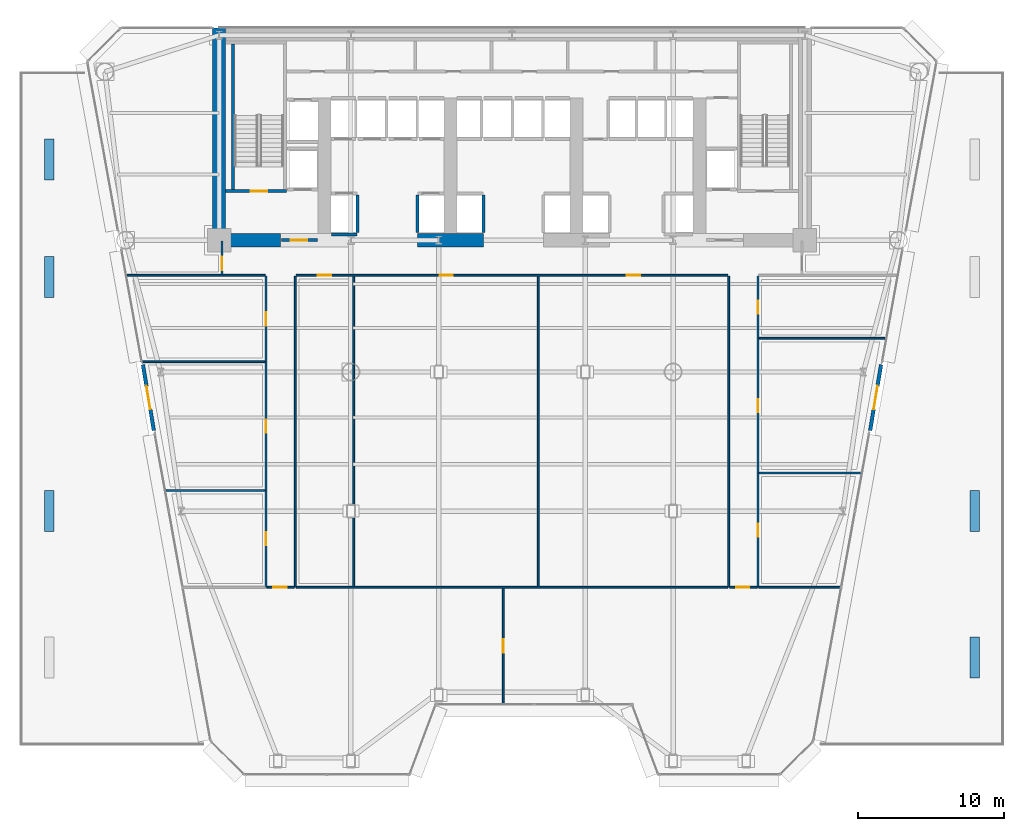
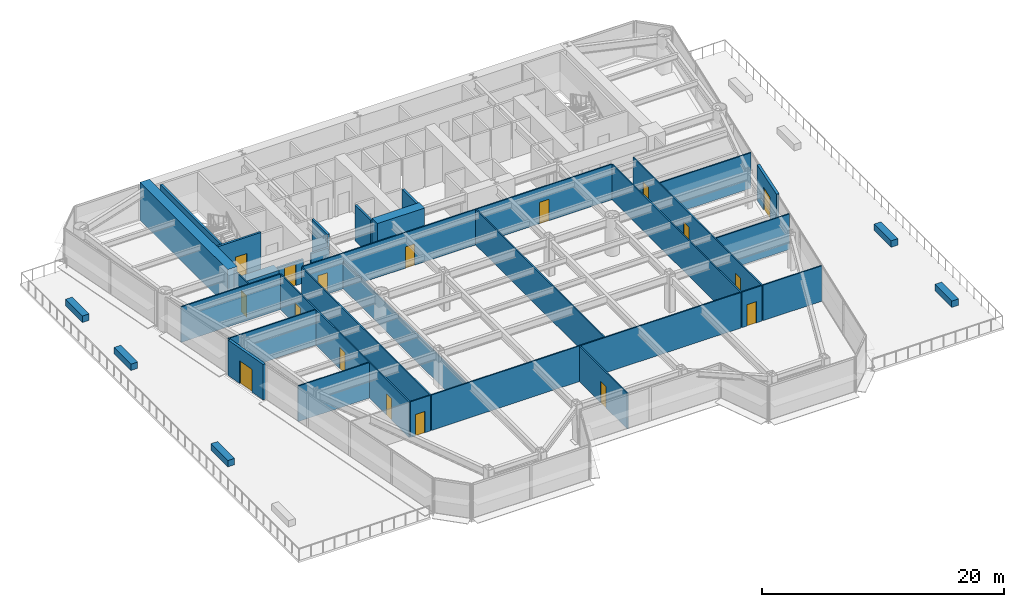
# One storey, part 8 of 14: 35 walls, 17 doors, 17 openings.
"""IFC4 building model written with IfcOpenShell, lengths in metres."""

from ifc_helpers import new_model, si_unit, direction, frame, frame_2d, origin, place, context, subcontext, project, spatial, rectangle, extrude, source, transform, mapped, material, layer, layer_set, type_object, element, fill, save


model = new_model("IFC4")

# Units and contexts
model_context = context("Model", 3, precision=1e-05, world=origin(), true_north=direction((0.0, 1.0)))
body_context = subcontext(model_context, "Body", "Model", "MODEL_VIEW")
ifc_project = project(units=[si_unit("LENGTHUNIT", "METRE"), si_unit("AREAUNIT", "SQUARE_METRE"), si_unit("VOLUMEUNIT", "CUBIC_METRE"), si_unit("PLANEANGLEUNIT", "RADIAN"), si_unit("MASSUNIT", "GRAM", prefix="KILO")], contexts=[model_context])

# Site, building, storey
site_placement = place(None, origin())
site = spatial("IfcSite", under=ifc_project, at=site_placement, CompositionType="ELEMENT")
building_placement = place(site_placement, origin())
building = spatial("IfcBuilding", under=site, at=building_placement, Name="Vaeldorn Concourse Tower", CompositionType="ELEMENT")
storey_placement = place(building_placement, frame((0.0, 0.0, 18.800048828125)))
storey = spatial("IfcBuildingStorey", under=building, at=storey_placement, Name="L04", CompositionType="ELEMENT", Elevation=18.800048828125)

# Walls
ifc_material_1 = material(Name="Concrete C60/75", Category="concrete")
ifc_layer_1 = layer(ifc_material_1, 0.89990234375)
ifc_layer_set_1 = layer_set([ifc_layer_1], Name="Concrete C60/75")
wall_type_1 = type_object("IfcWallType", Name="WL-CORE-900", PredefinedType="SHEAR", material=ifc_layer_set_1)
wall_1_placement = place(storey_placement, frame((14.0, 36.5, 0.0), z_axis=(0.0, 0.0, 1.0), x_axis=(0.0, 1.0, 0.0)))
element("IfcWall", 1, at=wall_1_placement, inside=storey, type_object=wall_type_1, Name="Rear Core Shear Wall L04 W1", PredefinedType="SHEAR", context=body_context, shape_type="SweptSolid", body=[
    extrude(rectangle(XDim=14.5, YDim=0.89990234375, at=frame_2d((7.25, 0.0))), origin(), (0.0, 0.0, 1.0), 3.800048828125),
])
wall_2_placement = place(storey_placement, frame((14.469970703125, 36.5, 0.0), z_axis=(0.0, 0.0, 1.0), x_axis=(1.0, 0.0, 0.0)))
element("IfcWall", 2, at=wall_2_placement, inside=storey, type_object=wall_type_1, Name="Rear Core Shear Wall L04 S1", PredefinedType="SHEAR", context=body_context, shape_type="SweptSolid", body=[
    extrude(rectangle(XDim=3.72998046875, YDim=0.89990234375, at=frame_2d((1.864990234375, 0.0))), origin(), (0.0, 0.0, 1.0), 2.3798828125),
])
wall_3_placement = place(storey_placement, frame((27.550048828125, 36.5, 0.0), z_axis=(0.0, 0.0, 1.0), x_axis=(1.0, 0.0, 0.0)))
element("IfcWall", 3, at=wall_3_placement, inside=storey, type_object=wall_type_1, Name="Rear Core Shear Wall L04 S2", PredefinedType="SHEAR", context=body_context, shape_type="SweptSolid", body=[
    extrude(rectangle(XDim=4.5, YDim=0.89990234375, at=frame_2d((2.25, 0.0))), origin(), (0.0, 0.0, 1.0), 3.800048828125),
])

# Wall, opening, door
ifc_material_2 = material(Name="Precast concrete C40/50", Category="concrete")
ifc_layer_2 = layer(ifc_material_2, 0.25)
ifc_layer_set_2 = layer_set([ifc_layer_2], Name="Precast concrete C40/50")
wall_type_2 = type_object("IfcWallType", Name="WL-EXT-TERRACE-250", PredefinedType="STANDARD", material=ifc_layer_set_2)
wall_4_placement = place(storey_placement, frame((9.53759765625, 23.5, 0.0), z_axis=(0.0, 0.0, 1.0), x_axis=(-0.162836302539, 0.98665309941, 0.0)))
wall_4 = element("IfcWall", 4, at=wall_4_placement, inside=storey, type_object=wall_type_2, Name="Sky Garden Portal Wall L04 West", PredefinedType="STANDARD", context=body_context, shape_type="SweptSolid", body=[
    extrude(rectangle(XDim=4.560791015625, YDim=0.25, at=frame_2d((2.2802734375, 0.0))), origin(), (0.0, 0.0, 1.0), 3.579833984375),
])
opening_1_placement = place(wall_4_placement, frame((1.47998046875, 0.0, 0.0)))
opening_1 = element("IfcOpeningElement", 5, at=opening_1_placement, cuts=wall_4, Name="Opening DG-1", PredefinedType="OPENING", context=body_context, shape_type="SweptSolid", body=[
    extrude(rectangle(XDim=1.60009765625, YDim=2.300048828125, at=frame_2d((0.800048828125, 1.14990234375))), frame((0.0, 0.135009765625, 0.0), z_axis=(0.0, -1.0, 0.0), x_axis=(1.0, 0.0, 0.0)), (0.0, 0.0, 1.0), 0.27001953125),
])
ifc_material_3 = material(Name="Anodised Bronze Aluminium", Category="aluminium")
door_type_1 = type_object("IfcDoorType", Name="DR-EXTERNAL-1600", OperationType="DOUBLE_DOOR_SINGLE_SWING", PredefinedType="DOOR", material=ifc_material_3)
shared_shape_1 = source(origin(), body_context, "Body", "SweptSolid", [
    extrude(rectangle(XDim=1.60009765625, YDim=2.300048828125, at=frame_2d((0.800048828125, 1.14990234375))), frame((0.0, 0.02490234375, 0.0), z_axis=(0.0, -1.0, 0.0), x_axis=(1.0, 0.0, 0.0)), (0.0, 0.0, 1.0), 0.050048828125),
])
door_1_placement = place(opening_1_placement, origin())
door_1 = element("IfcDoor", 6, at=door_1_placement, inside=storey, type_object=door_type_1, Name="Podium Sky Garden Terrace Door L04 West", OperationType="DOUBLE_DOOR_SINGLE_SWING", OverallHeight=2.300048828125, OverallWidth=1.60009765625, PredefinedType="DOOR", context=body_context, shape_type="MappedRepresentation", body=[
    mapped(shared_shape_1, transform((0.0, 0.0, 0.0), scale=1.0)),
])
fill(opening_1, door_1)

wall_5_placement = place(storey_placement, frame((59.205078125, 28.0, 0.0), z_axis=(0.0, 0.0, 1.0), x_axis=(-0.162836302539, -0.98665309941, 0.0)))
wall_5 = element("IfcWall", 7, at=wall_5_placement, inside=storey, type_object=wall_type_2, Name="Sky Garden Portal Wall L04 East", PredefinedType="STANDARD", context=body_context, shape_type="SweptSolid", body=[
    extrude(rectangle(XDim=4.560791015625, YDim=0.25, at=frame_2d((2.2802734375, 0.0))), origin(), (0.0, 0.0, 1.0), 3.579833984375),
])
opening_2_placement = place(wall_5_placement, frame((1.47998046875, 0.0, 0.0)))
opening_2 = element("IfcOpeningElement", 8, at=opening_2_placement, cuts=wall_5, Name="Opening DG-1", PredefinedType="OPENING", context=body_context, shape_type="SweptSolid", body=[
    extrude(rectangle(XDim=1.60009765625, YDim=2.300048828125, at=frame_2d((0.800048828125, 1.14990234375))), frame((0.0, 0.135009765625, 0.0), z_axis=(0.0, -1.0, 0.0), x_axis=(1.0, 0.0, 0.0)), (0.0, 0.0, 1.0), 0.27001953125),
])
door_2_placement = place(opening_2_placement, origin())
door_2 = element("IfcDoor", 9, at=door_2_placement, inside=storey, type_object=door_type_1, Name="Podium Sky Garden Terrace Door L04 East", OperationType="DOUBLE_DOOR_SINGLE_SWING", OverallHeight=2.300048828125, OverallWidth=1.60009765625, PredefinedType="DOOR", context=body_context, shape_type="MappedRepresentation", body=[
    mapped(shared_shape_1, transform((0.0, 0.0, 0.0), scale=1.0)),
])
fill(opening_2, door_2)

# Wall, openings, doors
ifc_material_4 = material(Name="Gypsum Board Partition", Category="gypsum")
ifc_layer_3 = layer(ifc_material_4, 0.1201171875)
ifc_layer_set_3 = layer_set([ifc_layer_3], Name="Gypsum Board Partition")
wall_type_3 = type_object("IfcWallType", Name="WL-PART-120", PredefinedType="PARTITIONING", material=ifc_layer_set_3)
wall_6_placement = place(storey_placement, frame((19.260009765625, 34.10009765625, 0.0), z_axis=(0.0, 0.0, 1.0), x_axis=(1.0, 0.0, 0.0)))
wall_6 = element("IfcWall", 10, at=wall_6_placement, inside=storey, type_object=wall_type_3, Name="Interior Wall PW-L04-CEWS", PredefinedType="PARTITIONING", context=body_context, shape_type="SweptSolid", body=[
    extrude(rectangle(XDim=29.47998046875, YDim=0.1201171875, at=frame_2d((14.739990234375, 0.0))), origin(), (0.0, 0.0, 1.0), 3.579833984375),
])
opening_3_placement = place(wall_6_placement, frame((1.489990234375, 0.0, 0.0)))
opening_3 = element("IfcOpeningElement", 11, at=opening_3_placement, cuts=wall_6, Name="Opening D-03", PredefinedType="OPENING", context=body_context, shape_type="SweptSolid", body=[
    extrude(rectangle(XDim=0.89990234375, YDim=2.14990234375, at=frame_2d((0.449951171875, 1.074951171875))), frame((0.0, 0.070068359375, 0.0), z_axis=(0.0, -1.0, 0.0), x_axis=(1.0, 0.0, 0.0)), (0.0, 0.0, 1.0), 0.14013671875),
])
opening_4_placement = place(wall_6_placement, frame((9.7900390625, 0.0, 0.0)))
opening_4 = element("IfcOpeningElement", 12, at=opening_4_placement, cuts=wall_6, Name="Opening D-03", PredefinedType="OPENING", context=body_context, shape_type="SweptSolid", body=[
    extrude(rectangle(XDim=0.89990234375, YDim=2.14990234375, at=frame_2d((0.449951171875, 1.074951171875))), frame((0.0, 0.070068359375, 0.0), z_axis=(0.0, -1.0, 0.0), x_axis=(1.0, 0.0, 0.0)), (0.0, 0.0, 1.0), 0.14013671875),
])
opening_5_placement = place(wall_6_placement, frame((22.590087890625, 0.0, 0.0)))
opening_5 = element("IfcOpeningElement", 13, at=opening_5_placement, cuts=wall_6, Name="Opening D-03", PredefinedType="OPENING", context=body_context, shape_type="SweptSolid", body=[
    extrude(rectangle(XDim=0.89990234375, YDim=2.14990234375, at=frame_2d((0.449951171875, 1.074951171875))), frame((0.0, 0.070068359375, 0.0), z_axis=(0.0, -1.0, 0.0), x_axis=(1.0, 0.0, 0.0)), (0.0, 0.0, 1.0), 0.14013671875),
])
ifc_material_5 = material(Name="Acoustic Bronze-Framed Glass Door", Category="glass")
door_type_2 = type_object("IfcDoorType", Name="DR-INT-900", OperationType="NOTDEFINED", PredefinedType="DOOR", material=ifc_material_5)
shared_shape_2 = source(origin(), body_context, "Body", "SweptSolid", [
    extrude(rectangle(XDim=0.89990234375, YDim=2.14990234375, at=frame_2d((0.449951171875, 1.074951171875))), frame((0.0, 0.02490234375, 0.0), z_axis=(0.0, -1.0, 0.0), x_axis=(1.0, 0.0, 0.0)), (0.0, 0.0, 1.0), 0.050048828125),
])
door_3_placement = place(opening_3_placement, origin())
door_3 = element("IfcDoor", 14, at=door_3_placement, inside=storey, type_object=door_type_2, Name="Interior Door DR-L04-H1", OperationType="SINGLE_SWING_LEFT", OverallHeight=2.14990234375, OverallWidth=0.89990234375, PredefinedType="DOOR", context=body_context, shape_type="MappedRepresentation", body=[
    mapped(shared_shape_2, transform((0.0, 0.0, 0.0), scale=1.0)),
])
fill(opening_3, door_3)
door_4_placement = place(opening_4_placement, origin())
door_4 = element("IfcDoor", 15, at=door_4_placement, inside=storey, type_object=door_type_2, Name="Interior Door DR-L04-H2", OperationType="SINGLE_SWING_RIGHT", OverallHeight=2.14990234375, OverallWidth=0.89990234375, PredefinedType="DOOR", context=body_context, shape_type="MappedRepresentation", body=[
    mapped(shared_shape_2, transform((0.0, 0.0, 0.0), scale=1.0)),
])
fill(opening_4, door_4)
door_5_placement = place(opening_5_placement, origin())
door_5 = element("IfcDoor", 16, at=door_5_placement, inside=storey, type_object=door_type_2, Name="Interior Door DR-L04-H3", OperationType="SINGLE_SWING_LEFT", OverallHeight=2.14990234375, OverallWidth=0.89990234375, PredefinedType="DOOR", context=body_context, shape_type="MappedRepresentation", body=[
    mapped(shared_shape_2, transform((0.0, 0.0, 0.0), scale=1.0)),
])
fill(opening_5, door_5)

# Wall
wall_7_placement = place(storey_placement, frame((7.687744140625, 34.10009765625, 0.0), z_axis=(0.0, 0.0, 1.0), x_axis=(1.0, 0.0, 0.0)))
element("IfcWall", 17, at=wall_7_placement, inside=storey, type_object=wall_type_3, Name="Interior Wall PW-L04-CEWW", PredefinedType="PARTITIONING", context=body_context, shape_type="SweptSolid", body=[
    extrude(rectangle(XDim=9.4521484375, YDim=0.1201171875, at=frame_2d((4.72607421875, 0.0))), origin(), (0.0, 0.0, 1.0), 3.579833984375),
])

# Wall, opening, door
wall_8_placement = place(storey_placement, frame((14.199951171875, 34.159912109375, 0.0), z_axis=(0.0, 0.0, 1.0), x_axis=(0.0, 1.0, 0.0)))
wall_8 = element("IfcWall", 18, at=wall_8_placement, inside=storey, type_object=wall_type_3, Name="Interior Wall PW-L04-CWWT", PredefinedType="PARTITIONING", context=body_context, shape_type="SweptSolid", body=[
    extrude(rectangle(XDim=2.280029296875, YDim=0.1201171875, at=frame_2d((1.14013671875, 0.0))), origin(), (0.0, 0.0, 1.0), 3.579833984375),
])
opening_6_placement = place(wall_8_placement, frame((0.300048828125, 0.0, 0.0)))
opening_6 = element("IfcOpeningElement", 19, at=opening_6_placement, cuts=wall_8, Name="Opening D-03", PredefinedType="OPENING", context=body_context, shape_type="SweptSolid", body=[
    extrude(rectangle(XDim=0.89990234375, YDim=2.14990234375, at=frame_2d((0.449951171875, 1.074951171875))), frame((0.0, 0.070068359375, 0.0), z_axis=(0.0, -1.0, 0.0), x_axis=(1.0, 0.0, 0.0)), (0.0, 0.0, 1.0), 0.14013671875),
])
door_6_placement = place(opening_6_placement, origin())
door_6 = element("IfcDoor", 20, at=door_6_placement, inside=storey, type_object=door_type_2, Name="Interior Door DR-L04-NW1", OperationType="SINGLE_SWING_LEFT", OverallHeight=2.14990234375, OverallWidth=0.89990234375, PredefinedType="DOOR", context=body_context, shape_type="MappedRepresentation", body=[
    mapped(shared_shape_2, transform((0.0, 0.0, 0.0), scale=1.0)),
])
fill(opening_6, door_6)

# Wall, openings, doors
wall_9_placement = place(storey_placement, frame((17.199951171875, 12.800048828125, 0.0), z_axis=(0.0, 0.0, 1.0), x_axis=(0.0, 1.0, 0.0)))
wall_9 = element("IfcWall", 21, at=wall_9_placement, inside=storey, type_object=wall_type_3, Name="Interior Wall PW-L04-CWW", PredefinedType="PARTITIONING", context=body_context, shape_type="SweptSolid", body=[
    extrude(rectangle(XDim=21.239990234375, YDim=0.1201171875, at=frame_2d((10.6201171875, 0.0))), origin(), (0.0, 0.0, 1.0), 3.579833984375),
])
opening_7_placement = place(wall_9_placement, frame((2.85009765625, 0.0, 0.0)))
opening_7 = element("IfcOpeningElement", 22, at=opening_7_placement, cuts=wall_9, Name="Opening D-03", PredefinedType="OPENING", context=body_context, shape_type="SweptSolid", body=[
    extrude(rectangle(XDim=0.89990234375, YDim=2.14990234375, at=frame_2d((0.449951171875, 1.074951171875))), frame((0.0, 0.070068359375, 0.0), z_axis=(0.0, -1.0, 0.0), x_axis=(1.0, 0.0, 0.0)), (0.0, 0.0, 1.0), 0.14013671875),
])
opening_8_placement = place(wall_9_placement, frame((10.550048828125, 0.0, 0.0)))
opening_8 = element("IfcOpeningElement", 23, at=opening_8_placement, cuts=wall_9, Name="Opening D-03", PredefinedType="OPENING", context=body_context, shape_type="SweptSolid", body=[
    extrude(rectangle(XDim=0.89990234375, YDim=2.14990234375, at=frame_2d((0.449951171875, 1.074951171875))), frame((0.0, 0.070068359375, 0.0), z_axis=(0.0, -1.0, 0.0), x_axis=(1.0, 0.0, 0.0)), (0.0, 0.0, 1.0), 0.14013671875),
])
opening_9_placement = place(wall_9_placement, frame((17.8701171875, 0.0, 0.0)))
opening_9 = element("IfcOpeningElement", 24, at=opening_9_placement, cuts=wall_9, Name="Opening D-03", PredefinedType="OPENING", context=body_context, shape_type="SweptSolid", body=[
    extrude(rectangle(XDim=0.89990234375, YDim=2.14990234375, at=frame_2d((0.449951171875, 1.074951171875))), frame((0.0, 0.070068359375, 0.0), z_axis=(0.0, -1.0, 0.0), x_axis=(1.0, 0.0, 0.0)), (0.0, 0.0, 1.0), 0.14013671875),
])
door_7_placement = place(opening_7_placement, origin())
door_7 = element("IfcDoor", 25, at=door_7_placement, inside=storey, type_object=door_type_2, Name="Interior Door DR-L04-W1", OperationType="SINGLE_SWING_LEFT", OverallHeight=2.14990234375, OverallWidth=0.89990234375, PredefinedType="DOOR", context=body_context, shape_type="MappedRepresentation", body=[
    mapped(shared_shape_2, transform((0.0, 0.0, 0.0), scale=1.0)),
])
fill(opening_7, door_7)
door_8_placement = place(opening_8_placement, origin())
door_8 = element("IfcDoor", 26, at=door_8_placement, inside=storey, type_object=door_type_2, Name="Interior Door DR-L04-W2", OperationType="SINGLE_SWING_RIGHT", OverallHeight=2.14990234375, OverallWidth=0.89990234375, PredefinedType="DOOR", context=body_context, shape_type="MappedRepresentation", body=[
    mapped(shared_shape_2, transform((0.0, 0.0, 0.0), scale=1.0)),
])
fill(opening_8, door_8)
door_9_placement = place(opening_9_placement, origin())
door_9 = element("IfcDoor", 27, at=door_9_placement, inside=storey, type_object=door_type_2, Name="Interior Door DR-L04-W3", OperationType="SINGLE_SWING_LEFT", OverallHeight=2.14990234375, OverallWidth=0.89990234375, PredefinedType="DOOR", context=body_context, shape_type="MappedRepresentation", body=[
    mapped(shared_shape_2, transform((0.0, 0.0, 0.0), scale=1.0)),
])
fill(opening_9, door_9)

# Walls
for number, where, z_axis, x_axis, name in (
    (28, (19.199951171875, 12.800048828125, 0.0), (0.0, 0.0, 1.0), (0.0, 1.0, 0.0), "Interior Wall PW-L04-CWE"),
    (29, (48.800048828125, 12.800048828125, 0.0), (0.0, 0.0, 1.0), (0.0, 1.0, 0.0), "Interior Wall PW-L04-CEW"),
):
    element("IfcWall", number, at=place(storey_placement, frame(where, z_axis=z_axis, x_axis=x_axis)), inside=storey, type_object=wall_type_3, Name=name, PredefinedType="PARTITIONING", context=body_context, shape_type="SweptSolid", body=[
        extrude(rectangle(XDim=21.239990234375, YDim=0.1201171875, at=frame_2d((10.6201171875, 0.0))), origin(), (0.0, 0.0, 1.0), 3.579833984375),
    ])

# Wall, openings, doors
wall_10_placement = place(storey_placement, frame((50.800048828125, 12.800048828125, 0.0), z_axis=(0.0, 0.0, 1.0), x_axis=(0.0, 1.0, 0.0)))
wall_10 = element("IfcWall", 30, at=wall_10_placement, inside=storey, type_object=wall_type_3, Name="Interior Wall PW-L04-CEE", PredefinedType="PARTITIONING", context=body_context, shape_type="SweptSolid", body=[
    extrude(rectangle(XDim=21.239990234375, YDim=0.1201171875, at=frame_2d((10.6201171875, 0.0))), origin(), (0.0, 0.0, 1.0), 3.579833984375),
])
opening_10_placement = place(wall_10_placement, frame((3.449951171875, 0.0, 0.0)))
opening_10 = element("IfcOpeningElement", 31, at=opening_10_placement, cuts=wall_10, Name="Opening D-03", PredefinedType="OPENING", context=body_context, shape_type="SweptSolid", body=[
    extrude(rectangle(XDim=0.89990234375, YDim=2.14990234375, at=frame_2d((0.449951171875, 1.074951171875))), frame((0.0, 0.070068359375, 0.0), z_axis=(0.0, -1.0, 0.0), x_axis=(1.0, 0.0, 0.0)), (0.0, 0.0, 1.0), 0.14013671875),
])
opening_11_placement = place(wall_10_placement, frame((11.949951171875, 0.0, 0.0)))
opening_11 = element("IfcOpeningElement", 32, at=opening_11_placement, cuts=wall_10, Name="Opening D-03", PredefinedType="OPENING", context=body_context, shape_type="SweptSolid", body=[
    extrude(rectangle(XDim=0.89990234375, YDim=2.14990234375, at=frame_2d((0.449951171875, 1.074951171875))), frame((0.0, 0.070068359375, 0.0), z_axis=(0.0, -1.0, 0.0), x_axis=(1.0, 0.0, 0.0)), (0.0, 0.0, 1.0), 0.14013671875),
])
opening_12_placement = place(wall_10_placement, frame((18.669921875, 0.0, 0.0)))
opening_12 = element("IfcOpeningElement", 33, at=opening_12_placement, cuts=wall_10, Name="Opening D-03", PredefinedType="OPENING", context=body_context, shape_type="SweptSolid", body=[
    extrude(rectangle(XDim=0.89990234375, YDim=2.14990234375, at=frame_2d((0.449951171875, 1.074951171875))), frame((0.0, 0.070068359375, 0.0), z_axis=(0.0, -1.0, 0.0), x_axis=(1.0, 0.0, 0.0)), (0.0, 0.0, 1.0), 0.14013671875),
])
door_10_placement = place(opening_10_placement, origin())
door_10 = element("IfcDoor", 34, at=door_10_placement, inside=storey, type_object=door_type_2, Name="Interior Door DR-L04-E1", OperationType="SINGLE_SWING_RIGHT", OverallHeight=2.14990234375, OverallWidth=0.89990234375, PredefinedType="DOOR", context=body_context, shape_type="MappedRepresentation", body=[
    mapped(shared_shape_2, transform((0.0, 0.0, 0.0), scale=1.0)),
])
fill(opening_10, door_10)
door_11_placement = place(opening_11_placement, origin())
door_11 = element("IfcDoor", 35, at=door_11_placement, inside=storey, type_object=door_type_2, Name="Interior Door DR-L04-E2", OperationType="SINGLE_SWING_LEFT", OverallHeight=2.14990234375, OverallWidth=0.89990234375, PredefinedType="DOOR", context=body_context, shape_type="MappedRepresentation", body=[
    mapped(shared_shape_2, transform((0.0, 0.0, 0.0), scale=1.0)),
])
fill(opening_11, door_11)
door_12_placement = place(opening_12_placement, origin())
door_12 = element("IfcDoor", 36, at=door_12_placement, inside=storey, type_object=door_type_2, Name="Interior Door DR-L04-E3", OperationType="SINGLE_SWING_RIGHT", OverallHeight=2.14990234375, OverallWidth=0.89990234375, PredefinedType="DOOR", context=body_context, shape_type="MappedRepresentation", body=[
    mapped(shared_shape_2, transform((0.0, 0.0, 0.0), scale=1.0)),
])
fill(opening_12, door_12)

# Wall, opening, door
wall_11_placement = place(storey_placement, frame((17.260009765625, 12.800048828125, 0.0), z_axis=(0.0, 0.0, 1.0), x_axis=(1.0, 0.0, 0.0)))
wall_11 = element("IfcWall", 37, at=wall_11_placement, inside=storey, type_object=wall_type_3, Name="Interior Wall PW-L04-CWS", PredefinedType="PARTITIONING", context=body_context, shape_type="SweptSolid", body=[
    extrude(rectangle(XDim=1.8798828125, YDim=0.1201171875, at=frame_2d((0.93994140625, 0.0))), origin(), (0.0, 0.0, 1.0), 3.579833984375),
])
opening_13_placement = place(wall_11_placement, frame((0.449951171875, 0.0, 0.0)))
opening_13 = element("IfcOpeningElement", 38, at=opening_13_placement, cuts=wall_11, Name="Opening D-03", PredefinedType="OPENING", context=body_context, shape_type="SweptSolid", body=[
    extrude(rectangle(XDim=0.89990234375, YDim=2.14990234375, at=frame_2d((0.449951171875, 1.074951171875))), frame((0.0, 0.070068359375, 0.0), z_axis=(0.0, -1.0, 0.0), x_axis=(1.0, 0.0, 0.0)), (0.0, 0.0, 1.0), 0.14013671875),
])
door_13_placement = place(opening_13_placement, origin())
door_13 = element("IfcDoor", 39, at=door_13_placement, inside=storey, type_object=door_type_2, Name="Interior Door DR-L04-SWL", OperationType="SINGLE_SWING_LEFT", OverallHeight=2.14990234375, OverallWidth=0.89990234375, PredefinedType="DOOR", context=body_context, shape_type="MappedRepresentation", body=[
    mapped(shared_shape_2, transform((0.0, 0.0, 0.0), scale=1.0)),
])
fill(opening_13, door_13)

wall_12_placement = place(storey_placement, frame((48.860107421875, 12.800048828125, 0.0), z_axis=(0.0, 0.0, 1.0), x_axis=(1.0, 0.0, 0.0)))
wall_12 = element("IfcWall", 40, at=wall_12_placement, inside=storey, type_object=wall_type_3, Name="Interior Wall PW-L04-CES", PredefinedType="PARTITIONING", context=body_context, shape_type="SweptSolid", body=[
    extrude(rectangle(XDim=1.8798828125, YDim=0.1201171875, at=frame_2d((0.93994140625, 0.0))), origin(), (0.0, 0.0, 1.0), 3.579833984375),
])
opening_14_placement = place(wall_12_placement, frame((0.449951171875, 0.0, 0.0)))
opening_14 = element("IfcOpeningElement", 41, at=opening_14_placement, cuts=wall_12, Name="Opening D-03", PredefinedType="OPENING", context=body_context, shape_type="SweptSolid", body=[
    extrude(rectangle(XDim=0.89990234375, YDim=2.14990234375, at=frame_2d((0.449951171875, 1.074951171875))), frame((0.0, 0.070068359375, 0.0), z_axis=(0.0, -1.0, 0.0), x_axis=(1.0, 0.0, 0.0)), (0.0, 0.0, 1.0), 0.14013671875),
])
door_14_placement = place(opening_14_placement, origin())
door_14 = element("IfcDoor", 42, at=door_14_placement, inside=storey, type_object=door_type_2, Name="Interior Door DR-L04-SEL", OperationType="SINGLE_SWING_RIGHT", OverallHeight=2.14990234375, OverallWidth=0.89990234375, PredefinedType="DOOR", context=body_context, shape_type="MappedRepresentation", body=[
    mapped(shared_shape_2, transform((0.0, 0.0, 0.0), scale=1.0)),
])
fill(opening_14, door_14)

# Walls
wall_13_placement = place(storey_placement, frame((10.353759765625, 19.39990234375, 0.0), z_axis=(0.0, 0.0, 1.0), x_axis=(1.0, 0.0, 0.0)))
element("IfcWall", 43, at=wall_13_placement, inside=storey, type_object=wall_type_3, Name="Interior Wall PW-L04-WY1", PredefinedType="PARTITIONING", context=body_context, shape_type="SweptSolid", body=[
    extrude(rectangle(XDim=6.7861328125, YDim=0.1201171875, at=frame_2d((3.39306640625, 0.0))), origin(), (0.0, 0.0, 1.0), 3.579833984375),
])
wall_14_placement = place(storey_placement, frame((8.7578125, 28.199951171875, 0.0), z_axis=(0.0, 0.0, 1.0), x_axis=(1.0, 0.0, 0.0)))
element("IfcWall", 44, at=wall_14_placement, inside=storey, type_object=wall_type_3, Name="Interior Wall PW-L04-WY2", PredefinedType="PARTITIONING", context=body_context, shape_type="SweptSolid", body=[
    extrude(rectangle(XDim=8.382080078125, YDim=0.1201171875, at=frame_2d((4.19091796875, 0.0))), origin(), (0.0, 0.0, 1.0), 3.579833984375),
])
wall_15_placement = place(storey_placement, frame((50.860107421875, 12.800048828125, 0.0), z_axis=(0.0, 0.0, 1.0), x_axis=(1.0, 0.0, 0.0)))
element("IfcWall", 45, at=wall_15_placement, inside=storey, type_object=wall_type_3, Name="Interior Wall PW-L04-EY0", PredefinedType="PARTITIONING", context=body_context, shape_type="SweptSolid", body=[
    extrude(rectangle(XDim=5.589111328125, YDim=0.1201171875, at=frame_2d((2.79443359375, 0.0))), origin(), (0.0, 0.0, 1.0), 3.579833984375),
])
wall_16_placement = place(storey_placement, frame((50.860107421875, 20.60009765625, 0.0), z_axis=(0.0, 0.0, 1.0), x_axis=(1.0, 0.0, 0.0)))
element("IfcWall", 46, at=wall_16_placement, inside=storey, type_object=wall_type_3, Name="Interior Wall PW-L04-EY1", PredefinedType="PARTITIONING", context=body_context, shape_type="SweptSolid", body=[
    extrude(rectangle(XDim=7.003662109375, YDim=0.1201171875, at=frame_2d((3.501953125, 0.0))), origin(), (0.0, 0.0, 1.0), 3.579833984375),
])
wall_17_placement = place(storey_placement, frame((50.860107421875, 29.800048828125, 0.0), z_axis=(0.0, 0.0, 1.0), x_axis=(1.0, 0.0, 0.0)))
element("IfcWall", 47, at=wall_17_placement, inside=storey, type_object=wall_type_3, Name="Interior Wall PW-L04-EY2", PredefinedType="PARTITIONING", context=body_context, shape_type="SweptSolid", body=[
    extrude(rectangle(XDim=8.672119140625, YDim=0.1201171875, at=frame_2d((4.3359375, 0.0))), origin(), (0.0, 0.0, 1.0), 3.579833984375),
])
wall_18_placement = place(storey_placement, frame((19.260009765625, 12.800048828125, 0.0), z_axis=(0.0, 0.0, 1.0), x_axis=(1.0, 0.0, 0.0)))
element("IfcWall", 48, at=wall_18_placement, inside=storey, type_object=wall_type_3, Name="Interior Wall PW-L04-HUBS", PredefinedType="PARTITIONING", context=body_context, shape_type="SweptSolid", body=[
    extrude(rectangle(XDim=29.47998046875, YDim=0.1201171875, at=frame_2d((14.739990234375, 0.0))), origin(), (0.0, 0.0, 1.0), 3.579833984375),
])
wall_19_placement = place(storey_placement, frame((23.199951171875, 12.860107421875, 0.0), z_axis=(0.0, 0.0, 1.0), x_axis=(0.0, 1.0, 0.0)))
element("IfcWall", 49, at=wall_19_placement, inside=storey, type_object=wall_type_3, Name="Interior Wall PW-L04-HX1", PredefinedType="PARTITIONING", context=body_context, shape_type="SweptSolid", body=[
    extrude(rectangle(XDim=21.179931640625, YDim=0.1201171875, at=frame_2d((10.58984375, 0.0))), origin(), (0.0, 0.0, 1.0), 2.77001953125),
])
wall_20_placement = place(storey_placement, frame((35.800048828125, 12.860107421875, 0.0), z_axis=(0.0, 0.0, 1.0), x_axis=(0.0, 1.0, 0.0)))
element("IfcWall", 50, at=wall_20_placement, inside=storey, type_object=wall_type_3, Name="Interior Wall PW-L04-HX2", PredefinedType="PARTITIONING", context=body_context, shape_type="SweptSolid", body=[
    extrude(rectangle(XDim=21.179931640625, YDim=0.1201171875, at=frame_2d((10.58984375, 0.0))), origin(), (0.0, 0.0, 1.0), 3.579833984375),
])

# Wall, opening, door
wall_21_placement = place(storey_placement, frame((33.39990234375, 4.840087890625, 0.0), z_axis=(0.0, 0.0, 1.0), x_axis=(0.0, 1.0, 0.0)))
wall_21 = element("IfcWall", 51, at=wall_21_placement, inside=storey, type_object=wall_type_3, Name="Interior Wall PW-L04-SMID1", PredefinedType="PARTITIONING", context=body_context, shape_type="SweptSolid", body=[
    extrude(rectangle(XDim=7.89990234375, YDim=0.1201171875, at=frame_2d((3.949951171875, 0.0))), origin(), (0.0, 0.0, 1.0), 3.579833984375),
])
opening_15_placement = place(wall_21_placement, frame((3.5, 0.0, 0.0)))
opening_15 = element("IfcOpeningElement", 52, at=opening_15_placement, cuts=wall_21, Name="Opening D-03", PredefinedType="OPENING", context=body_context, shape_type="SweptSolid", body=[
    extrude(rectangle(XDim=0.89990234375, YDim=2.14990234375, at=frame_2d((0.449951171875, 1.074951171875))), frame((0.0, 0.070068359375, 0.0), z_axis=(0.0, -1.0, 0.0), x_axis=(1.0, 0.0, 0.0)), (0.0, 0.0, 1.0), 0.14013671875),
])
door_15_placement = place(opening_15_placement, origin())
door_15 = element("IfcDoor", 53, at=door_15_placement, inside=storey, type_object=door_type_2, Name="Interior Door DR-L04-SMID1", OperationType="SINGLE_SWING_RIGHT", OverallHeight=2.14990234375, OverallWidth=0.89990234375, PredefinedType="DOOR", context=body_context, shape_type="MappedRepresentation", body=[
    mapped(shared_shape_2, transform((0.0, 0.0, 0.0), scale=1.0)),
])
fill(opening_15, door_15)

# Walls
ifc_layer_4 = layer(ifc_material_3, 0.64990234375)
ifc_layer_set_4 = layer_set([ifc_layer_4], Name="Anodised Bronze Aluminium")
wall_type_4 = type_object("IfcWallType", Name="WL-PLANTER-BRONZE", PredefinedType="PARAPET", material=ifc_layer_set_4)
for number, where, z_axis, x_axis, name in (
    (54, (65.60009765625, 6.60009765625, 0.0), (0.0, 0.0, 1.0), (0.0, 1.0, 0.0), "Sky Garden Bronze Planter Box L04-E8"),
    (55, (2.39990234375, 16.60009765625, 0.0), (0.0, 0.0, 1.0), (0.0, 1.0, 0.0), "Sky Garden Bronze Planter Box L04-W18"),
    (56, (65.60009765625, 16.60009765625, 0.0), (0.0, 0.0, 1.0), (0.0, 1.0, 0.0), "Sky Garden Bronze Planter Box L04-E18"),
    (57, (2.39990234375, 32.60009765625, 0.0), (0.0, 0.0, 1.0), (0.0, 1.0, 0.0), "Sky Garden Bronze Planter Box L04-W34"),
    (58, (2.39990234375, 40.60009765625, 0.0), (0.0, 0.0, 1.0), (0.0, 1.0, 0.0), "Sky Garden Bronze Planter Box L04-W42"),
):
    element("IfcWall", number, at=place(storey_placement, frame(where, z_axis=z_axis, x_axis=x_axis)), inside=storey, type_object=wall_type_4, Name=name, PredefinedType="PARAPET", context=body_context, shape_type="SweptSolid", body=[
        extrude(rectangle(XDim=2.7998046875, YDim=0.64990234375, at=frame_2d((1.39990234375, 0.0))), origin(), (0.0, 0.0, 1.0), 0.64990234375),
    ])

# Wall, opening, door
ifc_material_6 = material(Name="Concrete C50/60", Category="concrete")
ifc_layer_5 = layer(ifc_material_6, 0.199951171875)
ifc_layer_set_5 = layer_set([ifc_layer_5], Name="Concrete C50/60")
wall_type_5 = type_object("IfcWallType", Name="WL-SHAFT-200", PredefinedType="SOLIDWALL", material=ifc_layer_set_5)
wall_22_placement = place(storey_placement, frame((14.449951171875, 39.85009765625, 0.0), z_axis=(0.0, 0.0, 1.0), x_axis=(1.0, 0.0, 0.0)))
wall_22 = element("IfcWall", 59, at=wall_22_placement, inside=storey, type_object=wall_type_5, Name="Stair Shaft Wall CW-L04-ST-1-S", PredefinedType="SOLIDWALL", context=body_context, shape_type="SweptSolid", body=[
    extrude(rectangle(XDim=4.150146484375, YDim=0.199951171875, at=frame_2d((2.0751953125, 0.0))), origin(), (0.0, 0.0, 1.0), 3.800048828125),
])
opening_16_placement = place(wall_22_placement, frame((1.72509765625, 0.0, 0.0)))
opening_16 = element("IfcOpeningElement", 60, at=opening_16_placement, cuts=wall_22, Name="Opening D-01", PredefinedType="OPENING", context=body_context, shape_type="SweptSolid", body=[
    extrude(rectangle(XDim=1.10009765625, YDim=2.14990234375, at=frame_2d((0.550048828125, 1.074951171875))), frame((0.0, 0.10986328125, 0.0), z_axis=(0.0, -1.0, 0.0), x_axis=(1.0, 0.0, 0.0)), (0.0, 0.0, 1.0), 0.219970703125),
])
ifc_material_7 = material(Name="Fire-Rated Timber and Steel Leaf", Category="steel")
door_type_3 = type_object("IfcDoorType", Name="DR-FD60-1100", OperationType="NOTDEFINED", PredefinedType="DOOR", material=ifc_material_7)
shared_shape_3 = source(origin(), body_context, "Body", "SweptSolid", [
    extrude(rectangle(XDim=1.10009765625, YDim=2.14990234375, at=frame_2d((0.550048828125, 1.074951171875))), frame((0.0, 0.02490234375, 0.0), z_axis=(0.0, -1.0, 0.0), x_axis=(1.0, 0.0, 0.0)), (0.0, 0.0, 1.0), 0.050048828125),
])
door_16_placement = place(opening_16_placement, origin())
door_16 = element("IfcDoor", 61, at=door_16_placement, inside=storey, type_object=door_type_3, Name="Interior Door DR-L04-ST-1", OperationType="SINGLE_SWING_LEFT", OverallHeight=2.14990234375, OverallWidth=1.10009765625, PredefinedType="DOOR", context=body_context, shape_type="MappedRepresentation", body=[
    mapped(shared_shape_3, transform((0.0, 0.0, 0.0), scale=1.0)),
])
fill(opening_16, door_16)

# Wall
wall_23_placement = place(storey_placement, frame((14.949951171875, 39.9599609375, 0.0), z_axis=(0.0, 0.0, 1.0), x_axis=(0.0, 1.0, 0.0)))
element("IfcWall", 62, at=wall_23_placement, inside=storey, type_object=wall_type_5, Name="Stair Shaft Wall CW-L04-ST-1-W", PredefinedType="SOLIDWALL", context=body_context, shape_type="SweptSolid", body=[
    extrude(rectangle(XDim=9.929931640625, YDim=0.199951171875, at=frame_2d((4.96484375, 0.0))), origin(), (0.0, 0.0, 1.0), 3.800048828125),
])

# Wall, opening, door
wall_24_placement = place(storey_placement, frame((18.25, 36.5, 0.0), z_axis=(0.0, 0.0, 1.0), x_axis=(1.0, 0.0, 0.0)))
wall_24 = element("IfcWall", 63, at=wall_24_placement, inside=storey, type_object=wall_type_5, Name="Interior Wall CW-L04-FF1S", PredefinedType="SOLIDWALL", context=body_context, shape_type="SweptSolid", body=[
    extrude(rectangle(XDim=2.469970703125, YDim=0.199951171875, at=frame_2d((1.23486328125, 0.0))), origin(), (0.0, 0.0, 1.0), 2.369873046875),
])
opening_17_placement = place(wall_24_placement, frame((0.64990234375, 0.0, 0.0)))
opening_17 = element("IfcOpeningElement", 64, at=opening_17_placement, cuts=wall_24, Name="Opening D-01", PredefinedType="OPENING", context=body_context, shape_type="SweptSolid", body=[
    extrude(rectangle(XDim=1.10009765625, YDim=2.14990234375, at=frame_2d((0.550048828125, 1.074951171875))), frame((0.0, 0.10986328125, 0.0), z_axis=(0.0, -1.0, 0.0), x_axis=(1.0, 0.0, 0.0)), (0.0, 0.0, 1.0), 0.219970703125),
])
door_17_placement = place(opening_17_placement, origin())
door_17 = element("IfcDoor", 65, at=door_17_placement, inside=storey, type_object=door_type_3, Name="Interior Door DR-L04-FF1E", OperationType="SINGLE_SWING_RIGHT", OverallHeight=2.14990234375, OverallWidth=1.10009765625, PredefinedType="DOOR", context=body_context, shape_type="MappedRepresentation", body=[
    mapped(shared_shape_3, transform((0.0, 0.0, 0.0), scale=1.0)),
])
fill(opening_17, door_17)

# Walls
wall_25_placement = place(storey_placement, frame((21.659912109375, 36.89990234375, 0.0), z_axis=(0.0, 0.0, 1.0), x_axis=(1.0, 0.0, 0.0)))
element("IfcWall", 66, at=wall_25_placement, inside=storey, type_object=wall_type_5, Name="Interior Wall CW-L04-LFB-LF-01", PredefinedType="SOLIDWALL", context=body_context, shape_type="SweptSolid", body=[
    extrude(rectangle(XDim=1.77001953125, YDim=0.199951171875, at=frame_2d((0.885009765625, 0.0))), origin(), (0.0, 0.0, 1.0), 2.369873046875),
])
for number, where, z_axis, x_axis, name in (
    (67, (23.449951171875, 37.02001953125, 0.0), (0.0, 0.0, 1.0), (0.0, 1.0, 0.0), "Interior Wall CW-L04-LFE-LF-01"),
    (68, (27.550048828125, 37.02001953125, 0.0), (0.0, 0.0, 1.0), (0.0, 1.0, 0.0), "Interior Wall CW-L04-LFW-LF-02"),
    (69, (32.050048828125, 37.02001953125, 0.0), (0.0, 0.0, 1.0), (0.0, 1.0, 0.0), "Interior Wall CW-L04-LFE-LF-07"),
):
    element("IfcWall", number, at=place(storey_placement, frame(where, z_axis=z_axis, x_axis=x_axis)), inside=storey, type_object=wall_type_5, Name=name, PredefinedType="SOLIDWALL", context=body_context, shape_type="SweptSolid", body=[
        extrude(rectangle(XDim=2.56005859375, YDim=0.199951171875, at=frame_2d((1.280029296875, 0.0))), origin(), (0.0, 0.0, 1.0), 3.579833984375),
    ])

save(model, "model.ifc")
